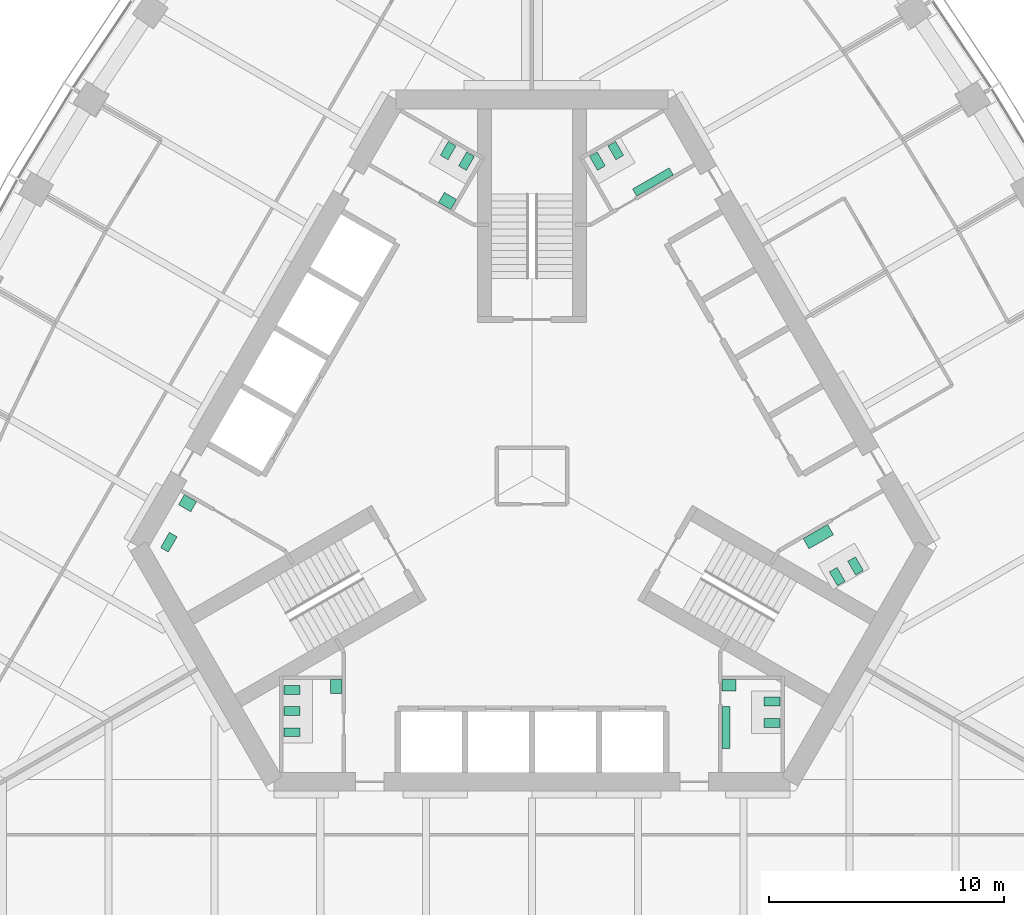
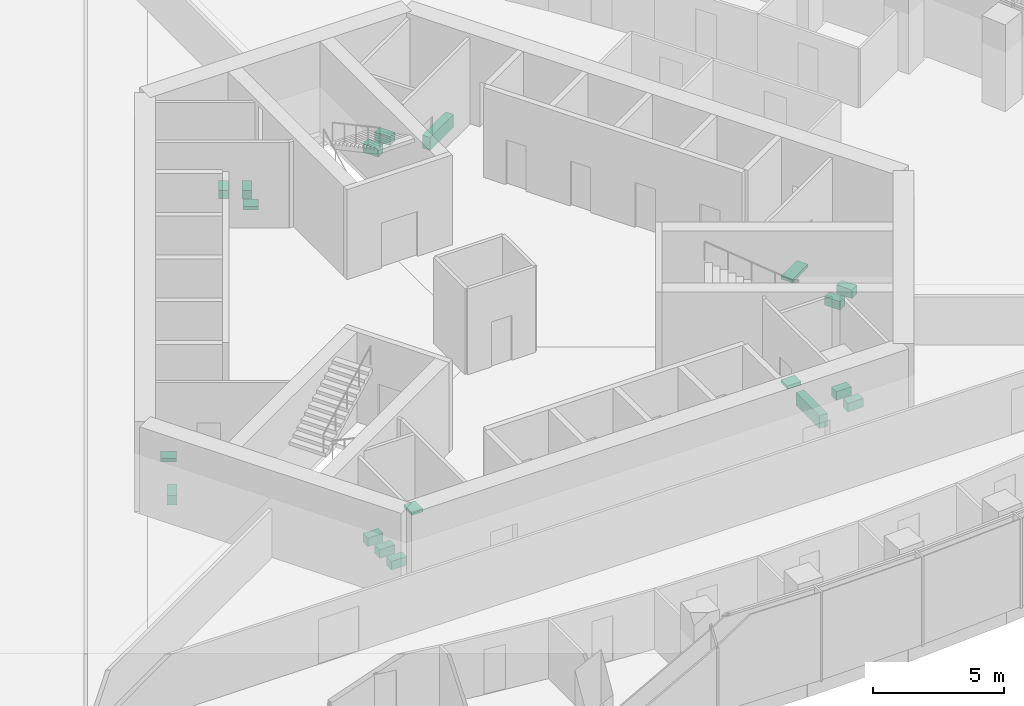
# One storey, part 19 of 20: 19 sanitary terminals.
"""IFC4 building model written with IfcOpenShell, lengths in metres."""

from ifc_helpers import new_model, si_unit, direction, frame, origin, place, context, subcontext, project, spatial, polyline, outline, extrude, material, type_object, element, save


model = new_model("IFC4")

# Units and contexts
model_context = context("Model", 3, precision=1e-05, world=origin(), true_north=direction((0.0, 1.0)))
body_context = subcontext(model_context, "Body", "Model", "MODEL_VIEW")
ifc_project = project(units=[si_unit("LENGTHUNIT", "METRE"), si_unit("AREAUNIT", "SQUARE_METRE"), si_unit("VOLUMEUNIT", "CUBIC_METRE"), si_unit("PLANEANGLEUNIT", "RADIAN"), si_unit("MASSUNIT", "GRAM", prefix="KILO")], contexts=[model_context])

# Site, building, storey
site_placement = place(None, origin())
site = spatial("IfcSite", under=ifc_project, at=site_placement, CompositionType="ELEMENT")
building_placement = place(site_placement, origin())
building = spatial("IfcBuilding", under=site, at=building_placement, Name="Trefoil Bronze Tower", CompositionType="ELEMENT")
storey_placement = place(building_placement, frame((0.0, 0.0, 219.10009765625)))
storey = spatial("IfcBuildingStorey", under=building, at=storey_placement, Name="L50", CompositionType="ELEMENT", Elevation=219.10009765625)

# Sanitary terminals
ifc_material_1 = material(Name="Vitreous china", Category="ceramic")
sanitary_terminal_type_1 = type_object("IfcSanitaryTerminalType", Name="Accessible WC pan", PredefinedType="TOILETPAN", material=ifc_material_1)
sanitary_terminal_1_placement = place(storey_placement, origin())
element("IfcSanitaryTerminal", 1, at=sanitary_terminal_1_placement, inside=storey, type_object=sanitary_terminal_type_1, Name="WC pan 1 Accessible WC L50", PredefinedType="TOILETPAN", context=body_context, shape_type="SweptSolid", body=[
    extrude(outline(polyline([(-15.085693359375, -2.589111328125), (-15.460693359375, -3.238525390625), (-15.789794921875, -3.048583984375), (-15.414794921875, -2.399169921875), (-15.085693359375, -2.589111328125)])), origin(), (0.0, 0.0, 1.0), 0.449951171875),
])
ifc_material_2 = material(Name="Vitreous china", Category="ceramic")
sanitary_terminal_type_2 = type_object("IfcSanitaryTerminalType", Name="Accessible basin", PredefinedType="WASHHANDBASIN", material=ifc_material_2)
sanitary_terminal_2_placement = place(storey_placement, frame((0.0, 0.0, 0.64990234375)))
element("IfcSanitaryTerminal", 2, at=sanitary_terminal_2_placement, inside=storey, type_object=sanitary_terminal_type_2, Name="Wash basin Accessible WC L50", PredefinedType="WASHHANDBASIN", context=body_context, shape_type="SweptSolid", body=[
    extrude(outline(polyline([(-14.256591796875, -1.09326171875), (-14.506591796875, -1.526123046875), (-15.026123046875, -1.22607421875), (-14.776123046875, -0.793212890625), (-14.256591796875, -1.09326171875)])), origin(), (0.0, 0.0, 1.0), 0.14990234375),
])
ifc_material_3 = material(Name="Vitreous china", Category="ceramic")
sanitary_terminal_type_3 = type_object("IfcSanitaryTerminalType", Name="Urinal range 3 urinals", PredefinedType="URINAL", material=ifc_material_3)
sanitary_terminal_3_placement = place(storey_placement, frame((0.0, 0.0, 0.39990234375)))
element("IfcSanitaryTerminal", 3, at=sanitary_terminal_3_placement, inside=storey, type_object=sanitary_terminal_type_3, Name="Urinal range WC (men) L50", PredefinedType="URINAL", context=body_context, shape_type="SweptSolid", body=[
    extrude(outline(polyline([(8.074951171875, -9.800048828125), (8.425048828125, -9.800048828125), (8.425048828125, -11.60009765625), (8.074951171875, -11.60009765625), (8.074951171875, -9.800048828125)])), origin(), (0.0, 0.0, 1.0), 0.60009765625),
])
sanitary_terminal_4_placement = place(storey_placement, frame((0.0, 0.0, 0.39990234375)))
element("IfcSanitaryTerminal", 4, at=sanitary_terminal_4_placement, inside=storey, type_object=sanitary_terminal_type_3, Name="Urinal range WC (men) L50", PredefinedType="URINAL", context=body_context, shape_type="SweptSolid", body=[
    extrude(outline(polyline([(4.449462890625, 11.89306640625), (4.274658203125, 12.1962890625), (5.83349609375, 13.09619140625), (6.00830078125, 12.793212890625), (4.449462890625, 11.89306640625)])), origin(), (0.0, 0.0, 1.0), 0.60009765625),
])
ifc_material_4 = material(Name="Solid surface vanity", Category="plastic")
sanitary_terminal_type_4 = type_object("IfcSanitaryTerminalType", Name="Vanity unit 1 basins", PredefinedType="WASHHANDBASIN", material=ifc_material_4)
sanitary_terminal_5_placement = place(storey_placement, frame((0.0, 0.0, 0.75)))
element("IfcSanitaryTerminal", 5, at=sanitary_terminal_5_placement, inside=storey, type_object=sanitary_terminal_type_4, Name="Vanity unit WC (men) L50", PredefinedType="WASHHANDBASIN", context=body_context, shape_type="SweptSolid", body=[
    extrude(outline(polyline([(8.074951171875, -8.64990234375), (8.675048828125, -8.64990234375), (8.675048828125, -9.14990234375), (8.074951171875, -9.14990234375), (8.074951171875, -8.64990234375)])), origin(), (0.0, 0.0, 1.0), 0.14990234375),
])
sanitary_terminal_6_placement = place(storey_placement, frame((0.0, 0.0, 0.75)))
element("IfcSanitaryTerminal", 6, at=sanitary_terminal_6_placement, inside=storey, type_object=sanitary_terminal_type_4, Name="Vanity unit WC (women) L50", PredefinedType="WASHHANDBASIN", context=body_context, shape_type="SweptSolid", body=[
    extrude(outline(polyline([(-3.45361328125, 11.318115234375), (-3.20361328125, 11.751220703125), (-3.72314453125, 12.05126953125), (-3.97314453125, 11.6181640625), (-3.45361328125, 11.318115234375)])), origin(), (0.0, 0.0, 1.0), 0.14990234375),
])
sanitary_terminal_7_placement = place(storey_placement, frame((0.0, 0.0, 0.75)))
element("IfcSanitaryTerminal", 7, at=sanitary_terminal_7_placement, inside=storey, type_object=sanitary_terminal_type_4, Name="Vanity unit WC (women) L50", PredefinedType="WASHHANDBASIN", context=body_context, shape_type="SweptSolid", body=[
    extrude(outline(polyline([(-8.074951171875, -8.64990234375), (-8.574951171875, -8.64990234375), (-8.574951171875, -9.25), (-8.074951171875, -9.25), (-8.074951171875, -8.64990234375)])), origin(), (0.0, 0.0, 1.0), 0.14990234375),
])
ifc_material_5 = material(Name="Solid surface vanity", Category="plastic")
sanitary_terminal_type_5 = type_object("IfcSanitaryTerminalType", Name="Vanity unit 2 basins", PredefinedType="WASHHANDBASIN", material=ifc_material_5)
sanitary_terminal_8_placement = place(storey_placement, frame((0.0, 0.0, 0.75)))
element("IfcSanitaryTerminal", 8, at=sanitary_terminal_8_placement, inside=storey, type_object=sanitary_terminal_type_5, Name="Vanity unit WC (women) L50", PredefinedType="WASHHANDBASIN", context=body_context, shape_type="SweptSolid", body=[
    extrude(outline(polyline([(11.528564453125, -2.668212890625), (11.778564453125, -3.10107421875), (12.81787109375, -2.501220703125), (12.56787109375, -2.068115234375), (11.528564453125, -2.668212890625)])), origin(), (0.0, 0.0, 1.0), 0.14990234375),
])
ifc_material_6 = material(Name="Vitreous china", Category="ceramic")
sanitary_terminal_type_6 = type_object("IfcSanitaryTerminalType", Name="WC pan", PredefinedType="TOILETPAN", material=ifc_material_6)
sanitary_terminal_9_placement = place(storey_placement, origin())
element("IfcSanitaryTerminal", 9, at=sanitary_terminal_9_placement, inside=storey, type_object=sanitary_terminal_type_6, Name="WC pan 1 WC (men) L50", PredefinedType="TOILETPAN", context=body_context, shape_type="SweptSolid", body=[
    extrude(outline(polyline([(9.85498046875, -9.409912109375), (10.534912109375, -9.409912109375), (10.534912109375, -9.7900390625), (9.85498046875, -9.7900390625), (9.85498046875, -9.409912109375)])), origin(), (0.0, 0.0, 1.0), 0.39990234375),
])
sanitary_terminal_10_placement = place(storey_placement, origin())
element("IfcSanitaryTerminal", 10, at=sanitary_terminal_10_placement, inside=storey, type_object=sanitary_terminal_type_6, Name="WC pan 2 WC (men) L50", PredefinedType="TOILETPAN", context=body_context, shape_type="SweptSolid", body=[
    extrude(outline(polyline([(9.85498046875, -10.31005859375), (10.534912109375, -10.31005859375), (10.534912109375, -10.68994140625), (9.85498046875, -10.68994140625), (9.85498046875, -10.31005859375)])), origin(), (0.0, 0.0, 1.0), 0.39990234375),
])
sanitary_terminal_11_placement = place(storey_placement, origin())
element("IfcSanitaryTerminal", 11, at=sanitary_terminal_11_placement, inside=storey, type_object=sanitary_terminal_type_6, Name="WC pan 1 WC (women) L50", PredefinedType="TOILETPAN", context=body_context, shape_type="SweptSolid", body=[
    extrude(outline(polyline([(12.643798828125, -4.07958984375), (12.98388671875, -4.66845703125), (13.31298828125, -4.478515625), (12.972900390625, -3.8896484375), (12.643798828125, -4.07958984375)])), origin(), (0.0, 0.0, 1.0), 0.39990234375),
])
sanitary_terminal_12_placement = place(storey_placement, origin())
element("IfcSanitaryTerminal", 12, at=sanitary_terminal_12_placement, inside=storey, type_object=sanitary_terminal_type_6, Name="WC pan 2 WC (women) L50", PredefinedType="TOILETPAN", context=body_context, shape_type="SweptSolid", body=[
    extrude(outline(polyline([(13.423095703125, -3.629638671875), (13.76318359375, -4.218505859375), (14.09228515625, -4.028564453125), (13.752197265625, -3.439697265625), (13.423095703125, -3.629638671875)])), origin(), (0.0, 0.0, 1.0), 0.39990234375),
])
sanitary_terminal_13_placement = place(storey_placement, origin())
element("IfcSanitaryTerminal", 13, at=sanitary_terminal_13_placement, inside=storey, type_object=sanitary_terminal_type_6, Name="WC pan 1 WC (men) L50", PredefinedType="TOILETPAN", context=body_context, shape_type="SweptSolid", body=[
    extrude(outline(polyline([(2.788818359375, 12.98974609375), (2.44873046875, 13.57861328125), (2.77783203125, 13.7685546875), (3.117919921875, 13.1796875), (2.788818359375, 12.98974609375)])), origin(), (0.0, 0.0, 1.0), 0.39990234375),
])
sanitary_terminal_14_placement = place(storey_placement, origin())
element("IfcSanitaryTerminal", 14, at=sanitary_terminal_14_placement, inside=storey, type_object=sanitary_terminal_type_6, Name="WC pan 2 WC (men) L50", PredefinedType="TOILETPAN", context=body_context, shape_type="SweptSolid", body=[
    extrude(outline(polyline([(3.568115234375, 13.439697265625), (3.228271484375, 14.028564453125), (3.557373046875, 14.218505859375), (3.897216796875, 13.629638671875), (3.568115234375, 13.439697265625)])), origin(), (0.0, 0.0, 1.0), 0.39990234375),
])
sanitary_terminal_15_placement = place(storey_placement, origin())
element("IfcSanitaryTerminal", 15, at=sanitary_terminal_15_placement, inside=storey, type_object=sanitary_terminal_type_6, Name="WC pan 1 WC (women) L50", PredefinedType="TOILETPAN", context=body_context, shape_type="SweptSolid", body=[
    extrude(outline(polyline([(-2.788818359375, 12.98974609375), (-2.44873046875, 13.57861328125), (-2.77783203125, 13.7685546875), (-3.117919921875, 13.1796875), (-2.788818359375, 12.98974609375)])), origin(), (0.0, 0.0, 1.0), 0.39990234375),
])
sanitary_terminal_16_placement = place(storey_placement, origin())
element("IfcSanitaryTerminal", 16, at=sanitary_terminal_16_placement, inside=storey, type_object=sanitary_terminal_type_6, Name="WC pan 2 WC (women) L50", PredefinedType="TOILETPAN", context=body_context, shape_type="SweptSolid", body=[
    extrude(outline(polyline([(-3.568115234375, 13.439697265625), (-3.228271484375, 14.028564453125), (-3.557373046875, 14.218505859375), (-3.897216796875, 13.629638671875), (-3.568115234375, 13.439697265625)])), origin(), (0.0, 0.0, 1.0), 0.39990234375),
])
sanitary_terminal_17_placement = place(storey_placement, origin())
element("IfcSanitaryTerminal", 17, at=sanitary_terminal_17_placement, inside=storey, type_object=sanitary_terminal_type_6, Name="WC pan 1 WC (women) L50", PredefinedType="TOILETPAN", context=body_context, shape_type="SweptSolid", body=[
    extrude(outline(polyline([(-9.85498046875, -8.909912109375), (-10.534912109375, -8.909912109375), (-10.534912109375, -9.2900390625), (-9.85498046875, -9.2900390625), (-9.85498046875, -8.909912109375)])), origin(), (0.0, 0.0, 1.0), 0.39990234375),
])
sanitary_terminal_18_placement = place(storey_placement, origin())
element("IfcSanitaryTerminal", 18, at=sanitary_terminal_18_placement, inside=storey, type_object=sanitary_terminal_type_6, Name="WC pan 2 WC (women) L50", PredefinedType="TOILETPAN", context=body_context, shape_type="SweptSolid", body=[
    extrude(outline(polyline([(-9.85498046875, -9.81005859375), (-10.534912109375, -9.81005859375), (-10.534912109375, -10.18994140625), (-9.85498046875, -10.18994140625), (-9.85498046875, -9.81005859375)])), origin(), (0.0, 0.0, 1.0), 0.39990234375),
])
sanitary_terminal_19_placement = place(storey_placement, origin())
element("IfcSanitaryTerminal", 19, at=sanitary_terminal_19_placement, inside=storey, type_object=sanitary_terminal_type_6, Name="WC pan 3 WC (women) L50", PredefinedType="TOILETPAN", context=body_context, shape_type="SweptSolid", body=[
    extrude(outline(polyline([(-9.85498046875, -10.7099609375), (-10.534912109375, -10.7099609375), (-10.534912109375, -11.090087890625), (-9.85498046875, -11.090087890625), (-9.85498046875, -10.7099609375)])), origin(), (0.0, 0.0, 1.0), 0.39990234375),
])

save(model, "model.ifc")
